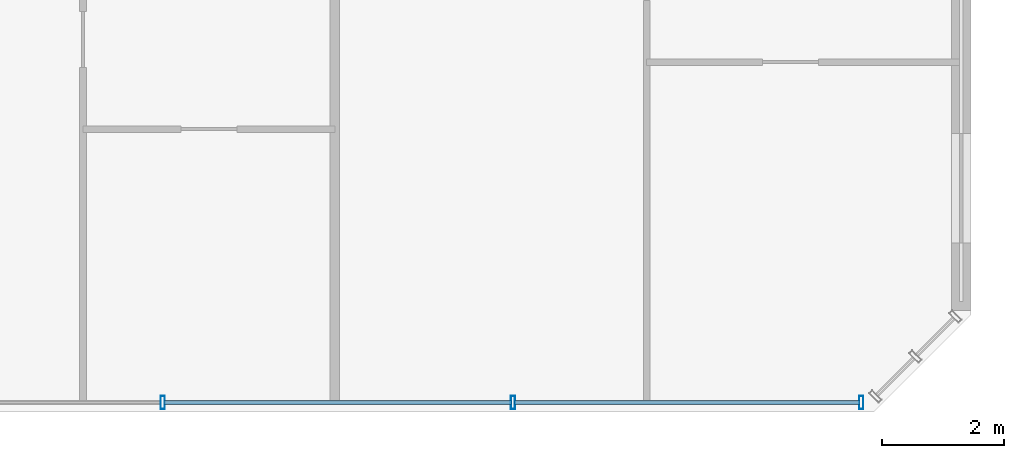
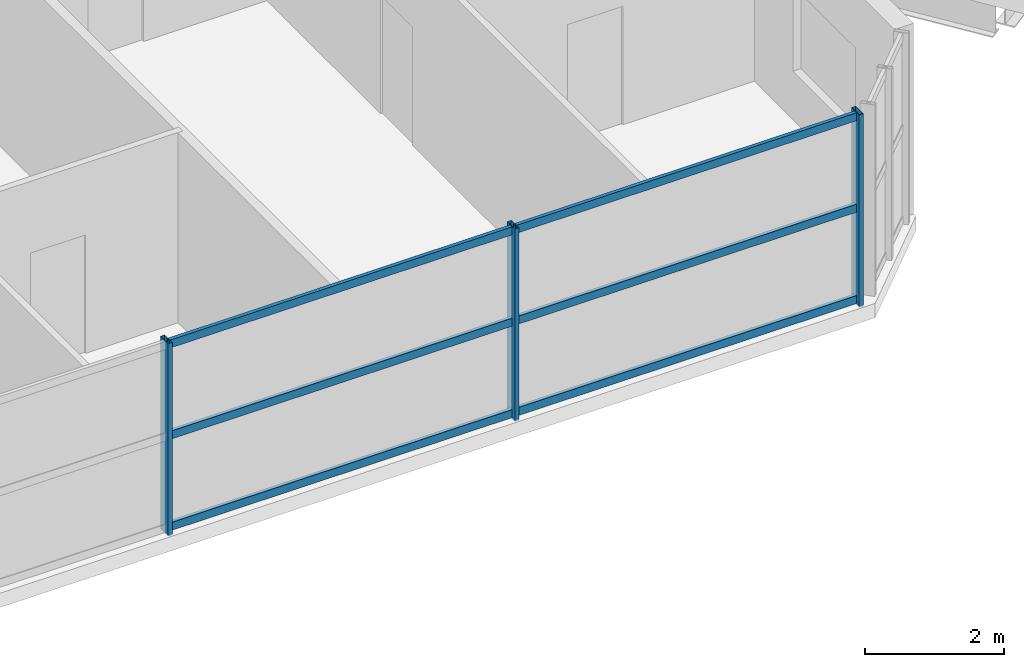
# One storey, part 7 of 28: 9 members, 1 element without a shape of its own.
"""IFC4 building model written with IfcOpenShell, lengths in metres."""

from ifc_helpers import new_model, si_unit, direction, frame, origin, origin_2d, place, context, subcontext, project, spatial, hollow_rectangle, extrude, source, transform, mapped, material, material_profile, profile_set, type_object, element, aggregate, save


model = new_model("IFC4")

# Units and contexts
model_context = context("Model", 3, precision=1e-05, world=origin(), true_north=direction((0.0, 1.0)))
body_context = subcontext(model_context, "Body", "Model", "MODEL_VIEW")
ifc_project = project(units=[si_unit("LENGTHUNIT", "METRE"), si_unit("AREAUNIT", "SQUARE_METRE"), si_unit("VOLUMEUNIT", "CUBIC_METRE"), si_unit("PLANEANGLEUNIT", "RADIAN"), si_unit("MASSUNIT", "GRAM", prefix="KILO")], contexts=[model_context])

# Site, building, storey
site_placement = place(None, origin())
site = spatial("IfcSite", under=ifc_project, at=site_placement, CompositionType="ELEMENT")
building_placement = place(site_placement, origin())
building = spatial("IfcBuilding", under=site, at=building_placement, Name="Tlacorven Tower", CompositionType="ELEMENT")
storey_placement = place(building_placement, frame((0.0, 0.0, 42.0)))
storey = spatial("IfcBuildingStorey", under=building, at=storey_placement, Name="L10", CompositionType="ELEMENT", Elevation=42.0)

# Curtain wall, members
ifc_material_1 = material(Name="Dark solar low-E double glazing in aluminium frame", Category="aluminium")
curtain_wall_type = type_object("IfcCurtainWallType", Name="CW-TWR-LOW", PredefinedType="USERDEFINED", material=ifc_material_1)
curtain_wall_placement = place(storey_placement, origin())
curtain_wall = element("IfcCurtainWall", 1, at=curtain_wall_placement, inside=storey, type_object=curtain_wall_type, Name="L10 CW-TWR-LOW Curtain Wall 52", ObjectType="UNITISED CURTAIN WALL", PredefinedType="USERDEFINED")
ifc_material_2 = material(Name="Aluminium 6063-T6 anodised", Category="aluminium")
ifc_material_profile_1 = material_profile(ifc_material_2, hollow_rectangle(XDim=0.070068359375, YDim=0.219970703125, WallThickness=0.0048828125, at=origin_2d()), Name="ALU MULLION 70X220")
ifc_profile_set_1 = profile_set([ifc_material_profile_1], Name="Aluminium 6063-T6 anodised")
member_type_1 = type_object("IfcMemberType", Name="CWM-01", PredefinedType="MULLION", material=ifc_profile_set_1)
shared_shape_1 = source(origin(), body_context, "Body", "SweptSolid", [
    extrude(hollow_rectangle(XDim=0.070068359375, YDim=0.219970703125, WallThickness=0.0048828125, at=origin_2d()), origin(), (0.0, 0.0, 1.0), 3.380126953125),
])
member_1_placement = place(storey_placement, frame((50.5986328125, 1.9599609375, -0.02001953125), z_axis=(0.0, 0.0, 1.0), x_axis=(-1.0, 0.0, 0.0)))
member_1 = element("IfcMember", 2, at=member_1_placement, type_object=member_type_1, Name="CW-L10-052 Mullion 1", PredefinedType="MULLION", context=body_context, shape_type="MappedRepresentation", body=[
    mapped(shared_shape_1, transform((0.0, 0.0, 0.0), scale=1.0)),
])
member_2_placement = place(storey_placement, frame((44.8779296875, 1.9599609375, -0.02001953125), z_axis=(0.0, 0.0, 1.0), x_axis=(-1.0, 0.0, 0.0)))
member_2 = element("IfcMember", 3, at=member_2_placement, type_object=member_type_1, Name="CW-L10-052 Mullion 2", PredefinedType="MULLION", context=body_context, shape_type="MappedRepresentation", body=[
    mapped(shared_shape_1, transform((0.0, 0.0, 0.0), scale=1.0)),
])
member_3_placement = place(storey_placement, frame((39.1220703125, 1.9599609375, -0.02001953125), z_axis=(0.0, 0.0, 1.0), x_axis=(-1.0, 0.0, 0.0)))
member_3 = element("IfcMember", 4, at=member_3_placement, type_object=member_type_1, Name="CW-L10-052 Mullion 3", PredefinedType="MULLION", context=body_context, shape_type="MappedRepresentation", body=[
    mapped(shared_shape_1, transform((0.0, 0.0, 0.0), scale=1.0)),
])
ifc_material_profile_2 = material_profile(ifc_material_2, hollow_rectangle(XDim=0.06005859375, YDim=0.139892578125, WallThickness=0.00390625, at=origin_2d()), Name="ALU TRANSOM 60X140")
ifc_profile_set_2 = profile_set([ifc_material_profile_2], Name="Aluminium 6063-T6 anodised")
member_type_2 = type_object("IfcMemberType", Name="CWT-02", PredefinedType="USERDEFINED", material=ifc_profile_set_2)
shared_shape_2 = source(origin(), body_context, "Body", "SweptSolid", [
    extrude(hollow_rectangle(XDim=0.06005859375, YDim=0.139892578125, WallThickness=0.00390625, at=origin_2d()), origin(), (0.0, 0.0, 1.0), 5.6748046875),
])
member_4_placement = place(storey_placement, frame((50.57568359375, 1.9599609375, 0.070068359375), z_axis=(-1.0, 0.0, 0.0), x_axis=(0.0, -1.0, 0.0)))
member_4 = element("IfcMember", 5, at=member_4_placement, type_object=member_type_2, Name="CW-L10-052 Transom 1", ObjectType="TRANSOM", PredefinedType="USERDEFINED", context=body_context, shape_type="MappedRepresentation", body=[
    mapped(shared_shape_2, transform((0.0, 0.0, 0.0), scale=1.0)),
])
member_5_placement = place(storey_placement, frame((50.57568359375, 1.9599609375, 1.675048828125), z_axis=(-1.0, 0.0, 0.0), x_axis=(0.0, -1.0, 0.0)))
member_5 = element("IfcMember", 6, at=member_5_placement, type_object=member_type_2, Name="CW-L10-052 Transom 2", ObjectType="TRANSOM", PredefinedType="USERDEFINED", context=body_context, shape_type="MappedRepresentation", body=[
    mapped(shared_shape_2, transform((0.0, 0.0, 0.0), scale=1.0)),
])
member_6_placement = place(storey_placement, frame((50.57568359375, 1.9599609375, 3.280029296875), z_axis=(-1.0, 0.0, 0.0), x_axis=(0.0, -1.0, 0.0)))
member_6 = element("IfcMember", 7, at=member_6_placement, type_object=member_type_2, Name="CW-L10-052 Transom 3", ObjectType="TRANSOM", PredefinedType="USERDEFINED", context=body_context, shape_type="MappedRepresentation", body=[
    mapped(shared_shape_2, transform((0.0, 0.0, 0.0), scale=1.0)),
])
shared_shape_3 = source(origin(), body_context, "Body", "SweptSolid", [
    extrude(hollow_rectangle(XDim=0.06005859375, YDim=0.139892578125, WallThickness=0.00390625, at=origin_2d()), origin(), (0.0, 0.0, 1.0), 5.7099609375),
])
member_7_placement = place(storey_placement, frame((44.85498046875, 1.9599609375, 0.070068359375), z_axis=(-1.0, 0.0, 0.0), x_axis=(0.0, -1.0, 0.0)))
member_7 = element("IfcMember", 8, at=member_7_placement, type_object=member_type_2, Name="CW-L10-052 Transom 4", ObjectType="TRANSOM", PredefinedType="USERDEFINED", context=body_context, shape_type="MappedRepresentation", body=[
    mapped(shared_shape_3, transform((0.0, 0.0, 0.0), scale=1.0)),
])
member_8_placement = place(storey_placement, frame((44.85498046875, 1.9599609375, 1.675048828125), z_axis=(-1.0, 0.0, 0.0), x_axis=(0.0, -1.0, 0.0)))
member_8 = element("IfcMember", 9, at=member_8_placement, type_object=member_type_2, Name="CW-L10-052 Transom 5", ObjectType="TRANSOM", PredefinedType="USERDEFINED", context=body_context, shape_type="MappedRepresentation", body=[
    mapped(shared_shape_3, transform((0.0, 0.0, 0.0), scale=1.0)),
])
member_9_placement = place(storey_placement, frame((44.85498046875, 1.9599609375, 3.280029296875), z_axis=(-1.0, 0.0, 0.0), x_axis=(0.0, -1.0, 0.0)))
member_9 = element("IfcMember", 10, at=member_9_placement, type_object=member_type_2, Name="CW-L10-052 Transom 6", ObjectType="TRANSOM", PredefinedType="USERDEFINED", context=body_context, shape_type="MappedRepresentation", body=[
    mapped(shared_shape_3, transform((0.0, 0.0, 0.0), scale=1.0)),
])
aggregate(curtain_wall, [member_1, member_2, member_3, member_4, member_5, member_6, member_7, member_8, member_9])

save(model, "model.ifc")
